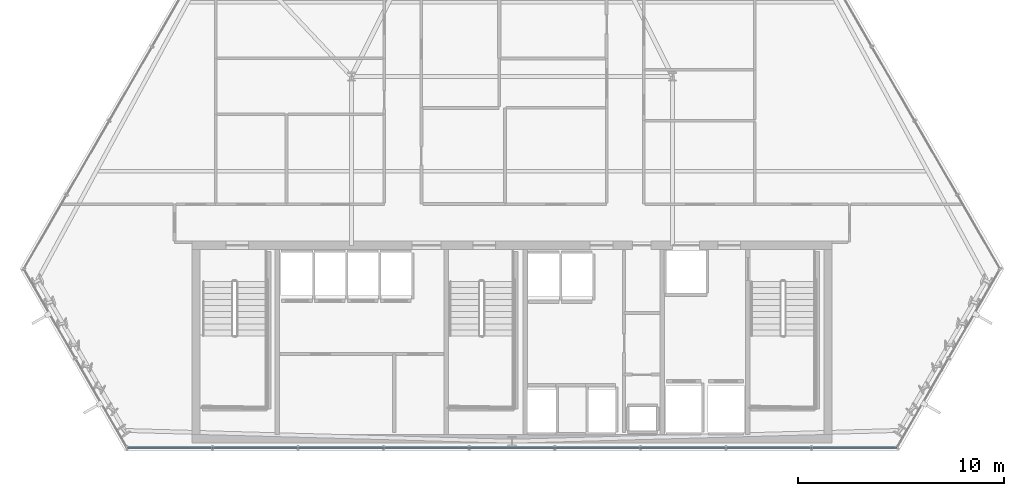
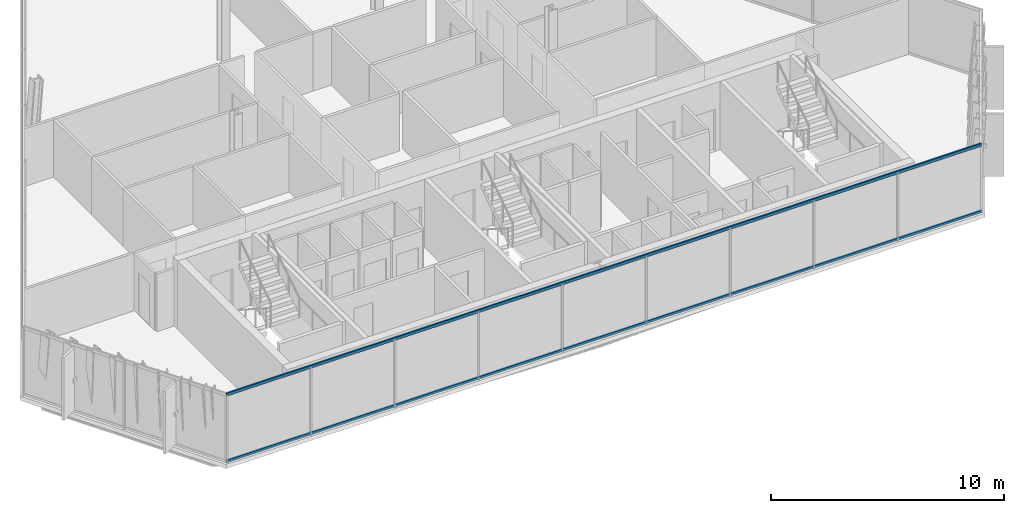
# One storey, part 8 of 35: 2 members, 1 element without a shape of its own.
"""IFC4 building model written with IfcOpenShell, lengths in metres."""

from ifc_helpers import new_model, si_unit, direction, frame, origin, origin_2d, place, context, subcontext, project, spatial, hollow_rectangle, extrude, material, layer, layer_set, material_profile, profile_set, type_object, element, aggregate, save


model = new_model("IFC4")

# Units and contexts
model_context = context("Model", 3, precision=1e-05, world=origin(), true_north=direction((0.0, 1.0)))
body_context = subcontext(model_context, "Body", "Model", "MODEL_VIEW")
ifc_project = project(units=[si_unit("LENGTHUNIT", "METRE"), si_unit("AREAUNIT", "SQUARE_METRE"), si_unit("VOLUMEUNIT", "CUBIC_METRE"), si_unit("PLANEANGLEUNIT", "RADIAN"), si_unit("MASSUNIT", "GRAM", prefix="KILO")], contexts=[model_context])

# Site, building, storey
site_placement = place(None, origin())
site = spatial("IfcSite", under=ifc_project, at=site_placement, CompositionType="ELEMENT")
building_placement = place(site_placement, origin())
building = spatial("IfcBuilding", under=site, at=building_placement, Name="Ndaravel Arena Tower", CompositionType="ELEMENT")
storey_placement = place(building_placement, frame((0.0, 0.0, 180.199951171875)))
storey = spatial("IfcBuildingStorey", under=building, at=storey_placement, Name="L43", CompositionType="ELEMENT", Elevation=180.199951171875)

# Curtain wall, members
ifc_material_1 = material(Name="Aluminium", Category="aluminium")
ifc_layer = layer(ifc_material_1, 0.179931640625)
ifc_layer_set = layer_set([ifc_layer], Name="Aluminium")
curtain_wall_type = type_object("IfcCurtainWallType", Name="CW-SYS-03", PredefinedType="NOTDEFINED", material=ifc_layer_set)
curtain_wall_placement = place(storey_placement, origin())
curtain_wall = element("IfcCurtainWall", 1, at=curtain_wall_placement, inside=storey, type_object=curtain_wall_type, Name="L43 Faceted Crystal Curtain Wall CW-L43-E01", PredefinedType="NOTDEFINED")
ifc_material_2 = material(Name="Aluminium", Category="aluminium")
ifc_material_profile = material_profile(ifc_material_2, hollow_rectangle(XDim=0.074951171875, YDim=0.14990234375, WallThickness=0.00390625, at=origin_2d()), Name="CW TRANSOM 75x150x4")
ifc_profile_set = profile_set([ifc_material_profile], Name="Aluminium")
member_type = type_object("IfcMemberType", Name="MEM-CW-TRN150", PredefinedType="USERDEFINED", material=ifc_profile_set)
member_1_placement = place(storey_placement, frame((23.296630859375, 5.159912109375, 0.0400390625), z_axis=(1.0, 0.0, 0.0), x_axis=(0.0, 1.0, 0.0)))
member_1 = element("IfcMember", 2, at=member_1_placement, type_object=member_type, Name="CW-L43-E01 Transom 01", ObjectType="TRANSOM", PredefinedType="USERDEFINED", context=body_context, shape_type="SweptSolid", body=[
    extrude(hollow_rectangle(XDim=0.074951171875, YDim=0.14990234375, WallThickness=0.00390625, at=origin_2d()), origin(), (0.0, 0.0, 1.0), 37.40673828125),
])
member_2_placement = place(storey_placement, frame((23.296630859375, 5.159912109375, 3.5400390625), z_axis=(1.0, 0.0, 0.0), x_axis=(0.0, 1.0, 0.0)))
member_2 = element("IfcMember", 3, at=member_2_placement, type_object=member_type, Name="CW-L43-E01 Transom 02", ObjectType="TRANSOM", PredefinedType="USERDEFINED", context=body_context, shape_type="SweptSolid", body=[
    extrude(hollow_rectangle(XDim=0.074951171875, YDim=0.14990234375, WallThickness=0.00390625, at=origin_2d()), origin(), (0.0, 0.0, 1.0), 37.40673828125),
])
aggregate(curtain_wall, [member_1, member_2])

save(model, "model.ifc")
